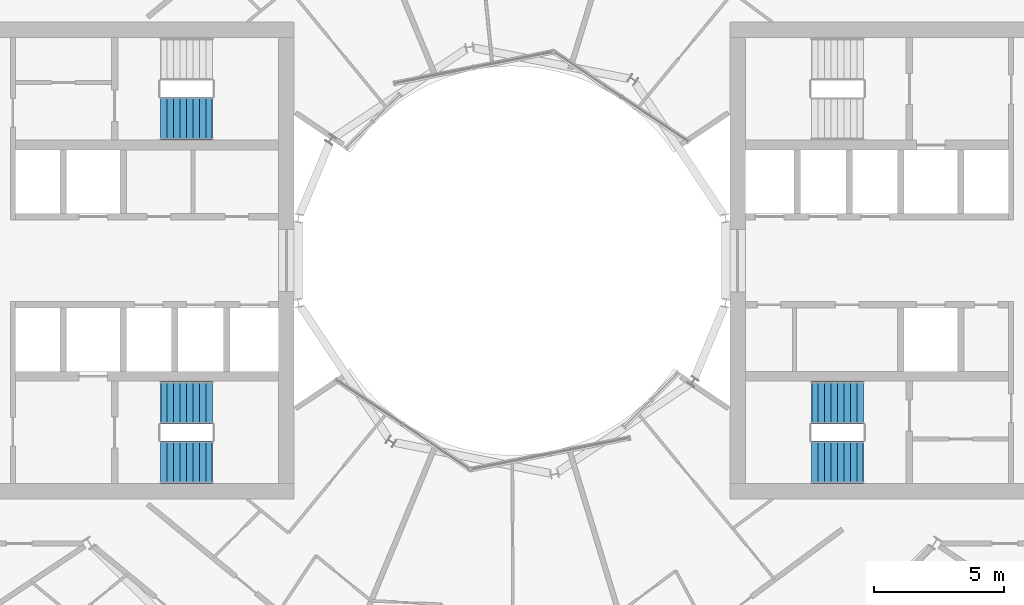
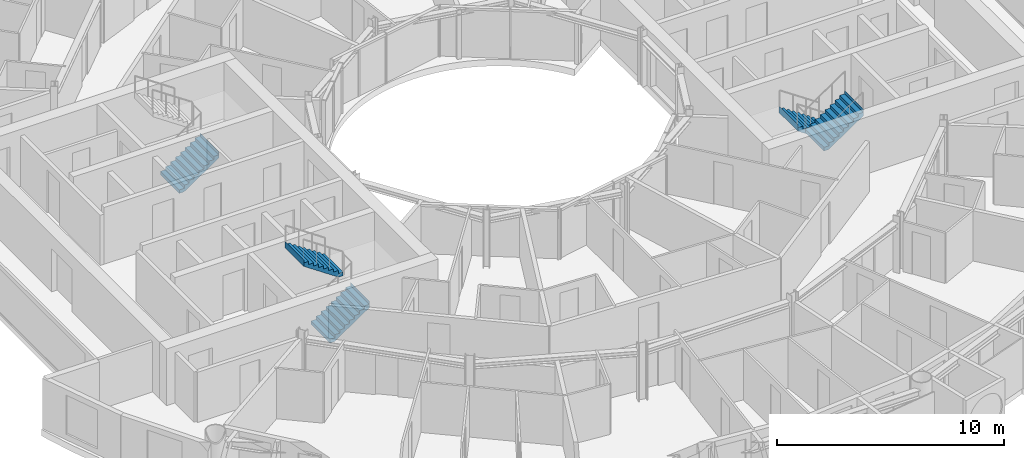
# One storey, part 24 of 27: 5 stair flights, 3 elements without a shape of their own.
"""IFC4 building model written with IfcOpenShell, lengths in metres."""

from ifc_helpers import new_model, si_unit, direction, frame, origin, place, context, subcontext, project, spatial, triangles, material, type_object, element, aggregate, save


model = new_model("IFC4")

# Units and contexts
model_context = context("Model", 3, precision=1e-05, world=origin(), true_north=direction((0.0, 1.0)))
body_context = subcontext(model_context, "Body", "Model", "MODEL_VIEW")
ifc_project = project(units=[si_unit("LENGTHUNIT", "METRE"), si_unit("AREAUNIT", "SQUARE_METRE"), si_unit("VOLUMEUNIT", "CUBIC_METRE"), si_unit("PLANEANGLEUNIT", "RADIAN"), si_unit("MASSUNIT", "GRAM", prefix="KILO")], contexts=[model_context])

# Site, building, storey
site_placement = place(None, origin())
site = spatial("IfcSite", under=ifc_project, at=site_placement, CompositionType="ELEMENT")
building_placement = place(site_placement, origin())
building = spatial("IfcBuilding", under=site, at=building_placement, Name="Maasbend Ring Residences", CompositionType="ELEMENT")
storey_placement = place(building_placement, frame((0.0, 0.0, 111.64990234375)))
storey = spatial("IfcBuildingStorey", under=building, at=storey_placement, Name="L31", CompositionType="ELEMENT", Elevation=111.64990234375)

# Stair, stair flights
ifc_material_1 = material(Name="Concrete C40/50", Category="concrete")
stair_type = type_object("IfcStairType", Name="CORE STAIR 18 RISERS", PredefinedType="HALF_TURN_STAIR", material=ifc_material_1)
stair_1_placement = place(storey_placement, origin())
stair_1 = element("IfcStair", 1, at=stair_1_placement, inside=storey, type_object=stair_type, Name="L31 Exit stair ST-E2", PredefinedType="HALF_TURN_STAIR")
ifc_material_2 = material(Name="Concrete C40/50", Category="concrete")
stair_flight_type = type_object("IfcStairFlightType", Name="CORE STAIR FLIGHT 1650", PredefinedType="STRAIGHT", material=ifc_material_2)
stair_flight_1_placement = place(storey_placement, frame((13.550048828125, -5.47509765625, 0.0), z_axis=(0.0, 0.0, 1.0), x_axis=(-1.0, 0.0, 0.0)))
stair_flight_1 = element("IfcStairFlight", 2, at=stair_flight_1_placement, type_object=stair_flight_type, Name="ST-E2 flight 1", NumberOfRisers=9, NumberOfTreads=8, PredefinedType="STRAIGHT", RiserHeight=0.169444444, TreadLength=0.25, context=body_context, shape_type="Tessellation", body=[
    triangles([(0.24072265625, 0.824951171875, -0.02001953125), (2.0029296875, 0.824951171875, 1.174560546875), (2.0029296875, 0.824951171875, 1.52490234375), (1.989990234375, 0.824951171875, 1.35546875), (1.75, 0.824951171875, 1.35546875), (1.75, 0.824951171875, 1.18603515625), (1.5, 0.824951171875, 1.18603515625), (1.5, 0.824951171875, 1.0166015625), (1.25, 0.824951171875, 1.0166015625), (1.25, 0.824951171875, 0.84716796875), (1.0, 0.824951171875, 0.84716796875), (1.0, 0.824951171875, 0.677734375), (0.75, 0.824951171875, 0.677734375), (0.75, 0.824951171875, 0.50830078125), (0.5, 0.824951171875, 0.50830078125), (0.5, 0.824951171875, 0.3388671875), (0.25, 0.824951171875, 0.3388671875), (0.25, 0.824951171875, 0.16943359375), (0.0, 0.824951171875, 0.16943359375), (0.0, 0.824951171875, 0.0), (-0.0029296875, 0.824951171875, 0.0), (-0.0029296875, 0.824951171875, -0.02001953125), (0.24072265625, 0.27490234375, -0.02001953125), (2.0029296875, 0.27490234375, 1.174560546875), (2.0029296875, 0.27490234375, 1.52490234375), (1.989990234375, 0.27490234375, 1.35546875), (1.75, 0.27490234375, 1.35546875), (1.75, 0.27490234375, 1.18603515625), (1.5, 0.27490234375, 1.18603515625), (1.5, 0.27490234375, 1.0166015625), (1.25, 0.27490234375, 1.0166015625), (1.25, 0.27490234375, 0.84716796875), (1.0, 0.27490234375, 0.84716796875), (1.0, 0.27490234375, 0.677734375), (0.75, 0.27490234375, 0.677734375), (0.75, 0.27490234375, 0.50830078125), (0.5, 0.27490234375, 0.50830078125), (0.5, 0.27490234375, 0.3388671875), (0.25, 0.27490234375, 0.3388671875), (0.25, 0.27490234375, 0.16943359375), (0.0, 0.27490234375, 0.16943359375), (0.0, 0.27490234375, 0.0), (-0.0029296875, 0.27490234375, 0.0), (-0.0029296875, 0.27490234375, -0.02001953125), (0.24072265625, -0.27490234375, -0.02001953125), (2.0029296875, -0.27490234375, 1.174560546875), (2.0029296875, -0.27490234375, 1.52490234375), (1.989990234375, -0.27490234375, 1.35546875), (1.75, -0.27490234375, 1.35546875), (1.75, -0.27490234375, 1.18603515625), (1.5, -0.27490234375, 1.18603515625), (1.5, -0.27490234375, 1.0166015625), (1.25, -0.27490234375, 1.0166015625), (1.25, -0.27490234375, 0.84716796875), (1.0, -0.27490234375, 0.84716796875), (1.0, -0.27490234375, 0.677734375), (0.75, -0.27490234375, 0.677734375), (0.75, -0.27490234375, 0.50830078125), (0.5, -0.27490234375, 0.50830078125), (0.5, -0.27490234375, 0.3388671875), (0.25, -0.27490234375, 0.3388671875), (0.25, -0.27490234375, 0.16943359375), (0.0, -0.27490234375, 0.16943359375), (0.0, -0.27490234375, 0.0), (-0.0029296875, -0.27490234375, 0.0), (-0.0029296875, -0.27490234375, -0.02001953125), (0.24072265625, -0.824951171875, -0.02001953125), (2.0029296875, -0.824951171875, 1.174560546875), (2.0029296875, -0.824951171875, 1.52490234375), (1.989990234375, -0.824951171875, 1.35546875), (1.75, -0.824951171875, 1.35546875), (1.75, -0.824951171875, 1.18603515625), (1.5, -0.824951171875, 1.18603515625), (1.5, -0.824951171875, 1.0166015625), (1.25, -0.824951171875, 1.0166015625), (1.25, -0.824951171875, 0.84716796875), (1.0, -0.824951171875, 0.84716796875), (1.0, -0.824951171875, 0.677734375), (0.75, -0.824951171875, 0.677734375), (0.75, -0.824951171875, 0.50830078125), (0.5, -0.824951171875, 0.50830078125), (0.5, -0.824951171875, 0.3388671875), (0.25, -0.824951171875, 0.3388671875), (0.25, -0.824951171875, 0.16943359375), (0.0, -0.824951171875, 0.16943359375), (0.0, -0.824951171875, 0.0), (-0.0029296875, -0.824951171875, 0.0), (-0.0029296875, -0.824951171875, -0.02001953125)], [[1, 2, 24], [1, 24, 23], [23, 24, 46], [23, 46, 45], [45, 46, 68], [45, 68, 67], [2, 3, 25], [2, 25, 24], [24, 25, 47], [24, 47, 46], [46, 47, 69], [46, 69, 68], [3, 4, 26], [3, 26, 25], [25, 26, 48], [25, 48, 47], [47, 48, 70], [47, 70, 69], [4, 5, 27], [4, 27, 26], [26, 27, 49], [26, 49, 48], [48, 49, 71], [48, 71, 70], [5, 6, 28], [5, 28, 27], [27, 28, 50], [27, 50, 49], [49, 50, 72], [49, 72, 71], [6, 7, 29], [6, 29, 28], [28, 29, 51], [28, 51, 50], [50, 51, 73], [50, 73, 72], [7, 8, 30], [7, 30, 29], [29, 30, 52], [29, 52, 51], [51, 52, 74], [51, 74, 73], [8, 9, 31], [8, 31, 30], [30, 31, 53], [30, 53, 52], [52, 53, 75], [52, 75, 74], [9, 10, 32], [9, 32, 31], [31, 32, 54], [31, 54, 53], [53, 54, 76], [53, 76, 75], [10, 11, 33], [10, 33, 32], [32, 33, 55], [32, 55, 54], [54, 55, 77], [54, 77, 76], [11, 12, 34], [11, 34, 33], [33, 34, 56], [33, 56, 55], [55, 56, 78], [55, 78, 77], [12, 13, 35], [12, 35, 34], [34, 35, 57], [34, 57, 56], [56, 57, 79], [56, 79, 78], [13, 14, 36], [13, 36, 35], [35, 36, 58], [35, 58, 57], [57, 58, 80], [57, 80, 79], [14, 15, 37], [14, 37, 36], [36, 37, 59], [36, 59, 58], [58, 59, 81], [58, 81, 80], [15, 16, 38], [15, 38, 37], [37, 38, 60], [37, 60, 59], [59, 60, 82], [59, 82, 81], [16, 17, 39], [16, 39, 38], [38, 39, 61], [38, 61, 60], [60, 61, 83], [60, 83, 82], [17, 18, 40], [17, 40, 39], [39, 40, 62], [39, 62, 61], [61, 62, 84], [61, 84, 83], [18, 19, 41], [18, 41, 40], [40, 41, 63], [40, 63, 62], [62, 63, 85], [62, 85, 84], [19, 20, 42], [19, 42, 41], [41, 42, 64], [41, 64, 63], [63, 64, 86], [63, 86, 85], [20, 21, 43], [20, 43, 42], [42, 43, 65], [42, 65, 64], [64, 65, 87], [64, 87, 86], [21, 22, 44], [21, 44, 43], [43, 44, 66], [43, 66, 65], [65, 66, 88], [65, 88, 87], [22, 1, 23], [22, 23, 44], [44, 23, 45], [44, 45, 66], [66, 45, 67], [66, 67, 88], [22, 2, 1], [2, 4, 3], [2, 5, 4], [2, 6, 5], [22, 6, 2], [6, 8, 7], [22, 8, 6], [8, 10, 9], [22, 10, 8], [10, 12, 11], [22, 12, 10], [12, 14, 13], [22, 14, 12], [14, 16, 15], [22, 16, 14], [16, 18, 17], [22, 18, 16], [18, 20, 19], [22, 20, 18], [20, 22, 21], [88, 67, 68], [68, 69, 70], [68, 70, 71], [68, 71, 72], [88, 68, 72], [72, 73, 74], [88, 72, 74], [74, 75, 76], [88, 74, 76], [76, 77, 78], [88, 76, 78], [78, 79, 80], [88, 78, 80], [80, 81, 82], [88, 80, 82], [82, 83, 84], [88, 82, 84], [84, 85, 86], [88, 84, 86], [86, 87, 88]], closed=True),
])
stair_flight_2_placement = place(storey_placement, frame((11.550048828125, -7.77490234375, 1.525146484375), z_axis=(0.0, 0.0, 1.0), x_axis=(1.0, 0.0, 0.0)))
stair_flight_2 = element("IfcStairFlight", 3, at=stair_flight_2_placement, type_object=stair_flight_type, Name="ST-E2 flight 2", NumberOfRisers=9, NumberOfTreads=8, PredefinedType="STRAIGHT", RiserHeight=0.169444444, TreadLength=0.25, context=body_context, shape_type="Tessellation", body=[
    triangles([(0.24072265625, 0.824951171875, -0.02001953125), (2.0029296875, 0.824951171875, 1.174560546875), (2.0029296875, 0.824951171875, 1.52490234375), (1.989990234375, 0.824951171875, 1.35546875), (1.75, 0.824951171875, 1.35546875), (1.75, 0.824951171875, 1.18603515625), (1.5, 0.824951171875, 1.18603515625), (1.5, 0.824951171875, 1.0166015625), (1.25, 0.824951171875, 1.0166015625), (1.25, 0.824951171875, 0.84716796875), (1.0, 0.824951171875, 0.84716796875), (1.0, 0.824951171875, 0.677734375), (0.75, 0.824951171875, 0.677734375), (0.75, 0.824951171875, 0.50830078125), (0.5, 0.824951171875, 0.50830078125), (0.5, 0.824951171875, 0.3388671875), (0.25, 0.824951171875, 0.3388671875), (0.25, 0.824951171875, 0.16943359375), (0.0, 0.824951171875, 0.16943359375), (0.0, 0.824951171875, 0.0), (-0.0029296875, 0.824951171875, 0.0), (-0.0029296875, 0.824951171875, -0.02001953125), (0.24072265625, 0.27490234375, -0.02001953125), (2.0029296875, 0.27490234375, 1.174560546875), (2.0029296875, 0.27490234375, 1.52490234375), (1.989990234375, 0.27490234375, 1.35546875), (1.75, 0.27490234375, 1.35546875), (1.75, 0.27490234375, 1.18603515625), (1.5, 0.27490234375, 1.18603515625), (1.5, 0.27490234375, 1.0166015625), (1.25, 0.27490234375, 1.0166015625), (1.25, 0.27490234375, 0.84716796875), (1.0, 0.27490234375, 0.84716796875), (1.0, 0.27490234375, 0.677734375), (0.75, 0.27490234375, 0.677734375), (0.75, 0.27490234375, 0.50830078125), (0.5, 0.27490234375, 0.50830078125), (0.5, 0.27490234375, 0.3388671875), (0.25, 0.27490234375, 0.3388671875), (0.25, 0.27490234375, 0.16943359375), (0.0, 0.27490234375, 0.16943359375), (0.0, 0.27490234375, 0.0), (-0.0029296875, 0.27490234375, 0.0), (-0.0029296875, 0.27490234375, -0.02001953125), (0.24072265625, -0.27490234375, -0.02001953125), (2.0029296875, -0.27490234375, 1.174560546875), (2.0029296875, -0.27490234375, 1.52490234375), (1.989990234375, -0.27490234375, 1.35546875), (1.75, -0.27490234375, 1.35546875), (1.75, -0.27490234375, 1.18603515625), (1.5, -0.27490234375, 1.18603515625), (1.5, -0.27490234375, 1.0166015625), (1.25, -0.27490234375, 1.0166015625), (1.25, -0.27490234375, 0.84716796875), (1.0, -0.27490234375, 0.84716796875), (1.0, -0.27490234375, 0.677734375), (0.75, -0.27490234375, 0.677734375), (0.75, -0.27490234375, 0.50830078125), (0.5, -0.27490234375, 0.50830078125), (0.5, -0.27490234375, 0.3388671875), (0.25, -0.27490234375, 0.3388671875), (0.25, -0.27490234375, 0.16943359375), (0.0, -0.27490234375, 0.16943359375), (0.0, -0.27490234375, 0.0), (-0.0029296875, -0.27490234375, 0.0), (-0.0029296875, -0.27490234375, -0.02001953125), (0.24072265625, -0.824951171875, -0.02001953125), (2.0029296875, -0.824951171875, 1.174560546875), (2.0029296875, -0.824951171875, 1.52490234375), (1.989990234375, -0.824951171875, 1.35546875), (1.75, -0.824951171875, 1.35546875), (1.75, -0.824951171875, 1.18603515625), (1.5, -0.824951171875, 1.18603515625), (1.5, -0.824951171875, 1.0166015625), (1.25, -0.824951171875, 1.0166015625), (1.25, -0.824951171875, 0.84716796875), (1.0, -0.824951171875, 0.84716796875), (1.0, -0.824951171875, 0.677734375), (0.75, -0.824951171875, 0.677734375), (0.75, -0.824951171875, 0.50830078125), (0.5, -0.824951171875, 0.50830078125), (0.5, -0.824951171875, 0.3388671875), (0.25, -0.824951171875, 0.3388671875), (0.25, -0.824951171875, 0.16943359375), (0.0, -0.824951171875, 0.16943359375), (0.0, -0.824951171875, 0.0), (-0.0029296875, -0.824951171875, 0.0), (-0.0029296875, -0.824951171875, -0.02001953125)], [[1, 2, 24], [1, 24, 23], [23, 24, 46], [23, 46, 45], [45, 46, 68], [45, 68, 67], [2, 3, 25], [2, 25, 24], [24, 25, 47], [24, 47, 46], [46, 47, 69], [46, 69, 68], [3, 4, 26], [3, 26, 25], [25, 26, 48], [25, 48, 47], [47, 48, 70], [47, 70, 69], [4, 5, 27], [4, 27, 26], [26, 27, 49], [26, 49, 48], [48, 49, 71], [48, 71, 70], [5, 6, 28], [5, 28, 27], [27, 28, 50], [27, 50, 49], [49, 50, 72], [49, 72, 71], [6, 7, 29], [6, 29, 28], [28, 29, 51], [28, 51, 50], [50, 51, 73], [50, 73, 72], [7, 8, 30], [7, 30, 29], [29, 30, 52], [29, 52, 51], [51, 52, 74], [51, 74, 73], [8, 9, 31], [8, 31, 30], [30, 31, 53], [30, 53, 52], [52, 53, 75], [52, 75, 74], [9, 10, 32], [9, 32, 31], [31, 32, 54], [31, 54, 53], [53, 54, 76], [53, 76, 75], [10, 11, 33], [10, 33, 32], [32, 33, 55], [32, 55, 54], [54, 55, 77], [54, 77, 76], [11, 12, 34], [11, 34, 33], [33, 34, 56], [33, 56, 55], [55, 56, 78], [55, 78, 77], [12, 13, 35], [12, 35, 34], [34, 35, 57], [34, 57, 56], [56, 57, 79], [56, 79, 78], [13, 14, 36], [13, 36, 35], [35, 36, 58], [35, 58, 57], [57, 58, 80], [57, 80, 79], [14, 15, 37], [14, 37, 36], [36, 37, 59], [36, 59, 58], [58, 59, 81], [58, 81, 80], [15, 16, 38], [15, 38, 37], [37, 38, 60], [37, 60, 59], [59, 60, 82], [59, 82, 81], [16, 17, 39], [16, 39, 38], [38, 39, 61], [38, 61, 60], [60, 61, 83], [60, 83, 82], [17, 18, 40], [17, 40, 39], [39, 40, 62], [39, 62, 61], [61, 62, 84], [61, 84, 83], [18, 19, 41], [18, 41, 40], [40, 41, 63], [40, 63, 62], [62, 63, 85], [62, 85, 84], [19, 20, 42], [19, 42, 41], [41, 42, 64], [41, 64, 63], [63, 64, 86], [63, 86, 85], [20, 21, 43], [20, 43, 42], [42, 43, 65], [42, 65, 64], [64, 65, 87], [64, 87, 86], [21, 22, 44], [21, 44, 43], [43, 44, 66], [43, 66, 65], [65, 66, 88], [65, 88, 87], [22, 1, 23], [22, 23, 44], [44, 23, 45], [44, 45, 66], [66, 45, 67], [66, 67, 88], [22, 2, 1], [2, 4, 3], [2, 5, 4], [2, 6, 5], [22, 6, 2], [6, 8, 7], [22, 8, 6], [8, 10, 9], [22, 10, 8], [10, 12, 11], [22, 12, 10], [12, 14, 13], [22, 14, 12], [14, 16, 15], [22, 16, 14], [16, 18, 17], [22, 18, 16], [18, 20, 19], [22, 20, 18], [20, 22, 21], [88, 67, 68], [68, 69, 70], [68, 70, 71], [68, 71, 72], [88, 68, 72], [72, 73, 74], [88, 72, 74], [74, 75, 76], [88, 74, 76], [76, 77, 78], [88, 76, 78], [78, 79, 80], [88, 78, 80], [80, 81, 82], [88, 80, 82], [82, 83, 84], [88, 82, 84], [84, 85, 86], [88, 84, 86], [86, 87, 88]], closed=True),
])
aggregate(stair_1, [stair_flight_1, stair_flight_2])

stair_2_placement = place(storey_placement, origin())
stair_2 = element("IfcStair", 4, at=stair_2_placement, inside=storey, type_object=stair_type, Name="L31 Exit stair ST-W1", PredefinedType="HALF_TURN_STAIR")
stair_flight_3_placement = place(storey_placement, frame((-13.550048828125, -7.77490234375, 0.0), z_axis=(0.0, 0.0, 1.0), x_axis=(1.0, 0.0, 0.0)))
stair_flight_3 = element("IfcStairFlight", 5, at=stair_flight_3_placement, type_object=stair_flight_type, Name="ST-W1 flight 1", NumberOfRisers=9, NumberOfTreads=8, PredefinedType="STRAIGHT", RiserHeight=0.169444444, TreadLength=0.25, context=body_context, shape_type="Tessellation", body=[
    triangles([(0.24072265625, 0.824951171875, -0.02001953125), (2.0029296875, 0.824951171875, 1.174560546875), (2.0029296875, 0.824951171875, 1.52490234375), (1.989990234375, 0.824951171875, 1.35546875), (1.75, 0.824951171875, 1.35546875), (1.75, 0.824951171875, 1.18603515625), (1.5, 0.824951171875, 1.18603515625), (1.5, 0.824951171875, 1.0166015625), (1.25, 0.824951171875, 1.0166015625), (1.25, 0.824951171875, 0.84716796875), (1.0, 0.824951171875, 0.84716796875), (1.0, 0.824951171875, 0.677734375), (0.75, 0.824951171875, 0.677734375), (0.75, 0.824951171875, 0.50830078125), (0.5, 0.824951171875, 0.50830078125), (0.5, 0.824951171875, 0.3388671875), (0.25, 0.824951171875, 0.3388671875), (0.25, 0.824951171875, 0.16943359375), (0.0, 0.824951171875, 0.16943359375), (0.0, 0.824951171875, 0.0), (-0.0029296875, 0.824951171875, 0.0), (-0.0029296875, 0.824951171875, -0.02001953125), (0.24072265625, 0.27490234375, -0.02001953125), (2.0029296875, 0.27490234375, 1.174560546875), (2.0029296875, 0.27490234375, 1.52490234375), (1.989990234375, 0.27490234375, 1.35546875), (1.75, 0.27490234375, 1.35546875), (1.75, 0.27490234375, 1.18603515625), (1.5, 0.27490234375, 1.18603515625), (1.5, 0.27490234375, 1.0166015625), (1.25, 0.27490234375, 1.0166015625), (1.25, 0.27490234375, 0.84716796875), (1.0, 0.27490234375, 0.84716796875), (1.0, 0.27490234375, 0.677734375), (0.75, 0.27490234375, 0.677734375), (0.75, 0.27490234375, 0.50830078125), (0.5, 0.27490234375, 0.50830078125), (0.5, 0.27490234375, 0.3388671875), (0.25, 0.27490234375, 0.3388671875), (0.25, 0.27490234375, 0.16943359375), (0.0, 0.27490234375, 0.16943359375), (0.0, 0.27490234375, 0.0), (-0.0029296875, 0.27490234375, 0.0), (-0.0029296875, 0.27490234375, -0.02001953125), (0.24072265625, -0.27490234375, -0.02001953125), (2.0029296875, -0.27490234375, 1.174560546875), (2.0029296875, -0.27490234375, 1.52490234375), (1.989990234375, -0.27490234375, 1.35546875), (1.75, -0.27490234375, 1.35546875), (1.75, -0.27490234375, 1.18603515625), (1.5, -0.27490234375, 1.18603515625), (1.5, -0.27490234375, 1.0166015625), (1.25, -0.27490234375, 1.0166015625), (1.25, -0.27490234375, 0.84716796875), (1.0, -0.27490234375, 0.84716796875), (1.0, -0.27490234375, 0.677734375), (0.75, -0.27490234375, 0.677734375), (0.75, -0.27490234375, 0.50830078125), (0.5, -0.27490234375, 0.50830078125), (0.5, -0.27490234375, 0.3388671875), (0.25, -0.27490234375, 0.3388671875), (0.25, -0.27490234375, 0.16943359375), (0.0, -0.27490234375, 0.16943359375), (0.0, -0.27490234375, 0.0), (-0.0029296875, -0.27490234375, 0.0), (-0.0029296875, -0.27490234375, -0.02001953125), (0.24072265625, -0.824951171875, -0.02001953125), (2.0029296875, -0.824951171875, 1.174560546875), (2.0029296875, -0.824951171875, 1.52490234375), (1.989990234375, -0.824951171875, 1.35546875), (1.75, -0.824951171875, 1.35546875), (1.75, -0.824951171875, 1.18603515625), (1.5, -0.824951171875, 1.18603515625), (1.5, -0.824951171875, 1.0166015625), (1.25, -0.824951171875, 1.0166015625), (1.25, -0.824951171875, 0.84716796875), (1.0, -0.824951171875, 0.84716796875), (1.0, -0.824951171875, 0.677734375), (0.75, -0.824951171875, 0.677734375), (0.75, -0.824951171875, 0.50830078125), (0.5, -0.824951171875, 0.50830078125), (0.5, -0.824951171875, 0.3388671875), (0.25, -0.824951171875, 0.3388671875), (0.25, -0.824951171875, 0.16943359375), (0.0, -0.824951171875, 0.16943359375), (0.0, -0.824951171875, 0.0), (-0.0029296875, -0.824951171875, 0.0), (-0.0029296875, -0.824951171875, -0.02001953125)], [[1, 2, 24], [1, 24, 23], [23, 24, 46], [23, 46, 45], [45, 46, 68], [45, 68, 67], [2, 3, 25], [2, 25, 24], [24, 25, 47], [24, 47, 46], [46, 47, 69], [46, 69, 68], [3, 4, 26], [3, 26, 25], [25, 26, 48], [25, 48, 47], [47, 48, 70], [47, 70, 69], [4, 5, 27], [4, 27, 26], [26, 27, 49], [26, 49, 48], [48, 49, 71], [48, 71, 70], [5, 6, 28], [5, 28, 27], [27, 28, 50], [27, 50, 49], [49, 50, 72], [49, 72, 71], [6, 7, 29], [6, 29, 28], [28, 29, 51], [28, 51, 50], [50, 51, 73], [50, 73, 72], [7, 8, 30], [7, 30, 29], [29, 30, 52], [29, 52, 51], [51, 52, 74], [51, 74, 73], [8, 9, 31], [8, 31, 30], [30, 31, 53], [30, 53, 52], [52, 53, 75], [52, 75, 74], [9, 10, 32], [9, 32, 31], [31, 32, 54], [31, 54, 53], [53, 54, 76], [53, 76, 75], [10, 11, 33], [10, 33, 32], [32, 33, 55], [32, 55, 54], [54, 55, 77], [54, 77, 76], [11, 12, 34], [11, 34, 33], [33, 34, 56], [33, 56, 55], [55, 56, 78], [55, 78, 77], [12, 13, 35], [12, 35, 34], [34, 35, 57], [34, 57, 56], [56, 57, 79], [56, 79, 78], [13, 14, 36], [13, 36, 35], [35, 36, 58], [35, 58, 57], [57, 58, 80], [57, 80, 79], [14, 15, 37], [14, 37, 36], [36, 37, 59], [36, 59, 58], [58, 59, 81], [58, 81, 80], [15, 16, 38], [15, 38, 37], [37, 38, 60], [37, 60, 59], [59, 60, 82], [59, 82, 81], [16, 17, 39], [16, 39, 38], [38, 39, 61], [38, 61, 60], [60, 61, 83], [60, 83, 82], [17, 18, 40], [17, 40, 39], [39, 40, 62], [39, 62, 61], [61, 62, 84], [61, 84, 83], [18, 19, 41], [18, 41, 40], [40, 41, 63], [40, 63, 62], [62, 63, 85], [62, 85, 84], [19, 20, 42], [19, 42, 41], [41, 42, 64], [41, 64, 63], [63, 64, 86], [63, 86, 85], [20, 21, 43], [20, 43, 42], [42, 43, 65], [42, 65, 64], [64, 65, 87], [64, 87, 86], [21, 22, 44], [21, 44, 43], [43, 44, 66], [43, 66, 65], [65, 66, 88], [65, 88, 87], [22, 1, 23], [22, 23, 44], [44, 23, 45], [44, 45, 66], [66, 45, 67], [66, 67, 88], [22, 2, 1], [2, 4, 3], [2, 5, 4], [2, 6, 5], [22, 6, 2], [6, 8, 7], [22, 8, 6], [8, 10, 9], [22, 10, 8], [10, 12, 11], [22, 12, 10], [12, 14, 13], [22, 14, 12], [14, 16, 15], [22, 16, 14], [16, 18, 17], [22, 18, 16], [18, 20, 19], [22, 20, 18], [20, 22, 21], [88, 67, 68], [68, 69, 70], [68, 70, 71], [68, 71, 72], [88, 68, 72], [72, 73, 74], [88, 72, 74], [74, 75, 76], [88, 74, 76], [76, 77, 78], [88, 76, 78], [78, 79, 80], [88, 78, 80], [80, 81, 82], [88, 80, 82], [82, 83, 84], [88, 82, 84], [84, 85, 86], [88, 84, 86], [86, 87, 88]], closed=True),
])
stair_flight_4_placement = place(storey_placement, frame((-11.550048828125, -5.47509765625, 1.525146484375), z_axis=(0.0, 0.0, 1.0), x_axis=(-1.0, 0.0, 0.0)))
stair_flight_4 = element("IfcStairFlight", 6, at=stair_flight_4_placement, type_object=stair_flight_type, Name="ST-W1 flight 2", NumberOfRisers=9, NumberOfTreads=8, PredefinedType="STRAIGHT", RiserHeight=0.169444444, TreadLength=0.25, context=body_context, shape_type="Tessellation", body=[
    triangles([(0.24072265625, 0.824951171875, -0.02001953125), (2.0029296875, 0.824951171875, 1.174560546875), (2.0029296875, 0.824951171875, 1.52490234375), (1.989990234375, 0.824951171875, 1.35546875), (1.75, 0.824951171875, 1.35546875), (1.75, 0.824951171875, 1.18603515625), (1.5, 0.824951171875, 1.18603515625), (1.5, 0.824951171875, 1.0166015625), (1.25, 0.824951171875, 1.0166015625), (1.25, 0.824951171875, 0.84716796875), (1.0, 0.824951171875, 0.84716796875), (1.0, 0.824951171875, 0.677734375), (0.75, 0.824951171875, 0.677734375), (0.75, 0.824951171875, 0.50830078125), (0.5, 0.824951171875, 0.50830078125), (0.5, 0.824951171875, 0.3388671875), (0.25, 0.824951171875, 0.3388671875), (0.25, 0.824951171875, 0.16943359375), (0.0, 0.824951171875, 0.16943359375), (0.0, 0.824951171875, 0.0), (-0.0029296875, 0.824951171875, 0.0), (-0.0029296875, 0.824951171875, -0.02001953125), (0.24072265625, 0.27490234375, -0.02001953125), (2.0029296875, 0.27490234375, 1.174560546875), (2.0029296875, 0.27490234375, 1.52490234375), (1.989990234375, 0.27490234375, 1.35546875), (1.75, 0.27490234375, 1.35546875), (1.75, 0.27490234375, 1.18603515625), (1.5, 0.27490234375, 1.18603515625), (1.5, 0.27490234375, 1.0166015625), (1.25, 0.27490234375, 1.0166015625), (1.25, 0.27490234375, 0.84716796875), (1.0, 0.27490234375, 0.84716796875), (1.0, 0.27490234375, 0.677734375), (0.75, 0.27490234375, 0.677734375), (0.75, 0.27490234375, 0.50830078125), (0.5, 0.27490234375, 0.50830078125), (0.5, 0.27490234375, 0.3388671875), (0.25, 0.27490234375, 0.3388671875), (0.25, 0.27490234375, 0.16943359375), (0.0, 0.27490234375, 0.16943359375), (0.0, 0.27490234375, 0.0), (-0.0029296875, 0.27490234375, 0.0), (-0.0029296875, 0.27490234375, -0.02001953125), (0.24072265625, -0.27490234375, -0.02001953125), (2.0029296875, -0.27490234375, 1.174560546875), (2.0029296875, -0.27490234375, 1.52490234375), (1.989990234375, -0.27490234375, 1.35546875), (1.75, -0.27490234375, 1.35546875), (1.75, -0.27490234375, 1.18603515625), (1.5, -0.27490234375, 1.18603515625), (1.5, -0.27490234375, 1.0166015625), (1.25, -0.27490234375, 1.0166015625), (1.25, -0.27490234375, 0.84716796875), (1.0, -0.27490234375, 0.84716796875), (1.0, -0.27490234375, 0.677734375), (0.75, -0.27490234375, 0.677734375), (0.75, -0.27490234375, 0.50830078125), (0.5, -0.27490234375, 0.50830078125), (0.5, -0.27490234375, 0.3388671875), (0.25, -0.27490234375, 0.3388671875), (0.25, -0.27490234375, 0.16943359375), (0.0, -0.27490234375, 0.16943359375), (0.0, -0.27490234375, 0.0), (-0.0029296875, -0.27490234375, 0.0), (-0.0029296875, -0.27490234375, -0.02001953125), (0.24072265625, -0.824951171875, -0.02001953125), (2.0029296875, -0.824951171875, 1.174560546875), (2.0029296875, -0.824951171875, 1.52490234375), (1.989990234375, -0.824951171875, 1.35546875), (1.75, -0.824951171875, 1.35546875), (1.75, -0.824951171875, 1.18603515625), (1.5, -0.824951171875, 1.18603515625), (1.5, -0.824951171875, 1.0166015625), (1.25, -0.824951171875, 1.0166015625), (1.25, -0.824951171875, 0.84716796875), (1.0, -0.824951171875, 0.84716796875), (1.0, -0.824951171875, 0.677734375), (0.75, -0.824951171875, 0.677734375), (0.75, -0.824951171875, 0.50830078125), (0.5, -0.824951171875, 0.50830078125), (0.5, -0.824951171875, 0.3388671875), (0.25, -0.824951171875, 0.3388671875), (0.25, -0.824951171875, 0.16943359375), (0.0, -0.824951171875, 0.16943359375), (0.0, -0.824951171875, 0.0), (-0.0029296875, -0.824951171875, 0.0), (-0.0029296875, -0.824951171875, -0.02001953125)], [[1, 2, 24], [1, 24, 23], [23, 24, 46], [23, 46, 45], [45, 46, 68], [45, 68, 67], [2, 3, 25], [2, 25, 24], [24, 25, 47], [24, 47, 46], [46, 47, 69], [46, 69, 68], [3, 4, 26], [3, 26, 25], [25, 26, 48], [25, 48, 47], [47, 48, 70], [47, 70, 69], [4, 5, 27], [4, 27, 26], [26, 27, 49], [26, 49, 48], [48, 49, 71], [48, 71, 70], [5, 6, 28], [5, 28, 27], [27, 28, 50], [27, 50, 49], [49, 50, 72], [49, 72, 71], [6, 7, 29], [6, 29, 28], [28, 29, 51], [28, 51, 50], [50, 51, 73], [50, 73, 72], [7, 8, 30], [7, 30, 29], [29, 30, 52], [29, 52, 51], [51, 52, 74], [51, 74, 73], [8, 9, 31], [8, 31, 30], [30, 31, 53], [30, 53, 52], [52, 53, 75], [52, 75, 74], [9, 10, 32], [9, 32, 31], [31, 32, 54], [31, 54, 53], [53, 54, 76], [53, 76, 75], [10, 11, 33], [10, 33, 32], [32, 33, 55], [32, 55, 54], [54, 55, 77], [54, 77, 76], [11, 12, 34], [11, 34, 33], [33, 34, 56], [33, 56, 55], [55, 56, 78], [55, 78, 77], [12, 13, 35], [12, 35, 34], [34, 35, 57], [34, 57, 56], [56, 57, 79], [56, 79, 78], [13, 14, 36], [13, 36, 35], [35, 36, 58], [35, 58, 57], [57, 58, 80], [57, 80, 79], [14, 15, 37], [14, 37, 36], [36, 37, 59], [36, 59, 58], [58, 59, 81], [58, 81, 80], [15, 16, 38], [15, 38, 37], [37, 38, 60], [37, 60, 59], [59, 60, 82], [59, 82, 81], [16, 17, 39], [16, 39, 38], [38, 39, 61], [38, 61, 60], [60, 61, 83], [60, 83, 82], [17, 18, 40], [17, 40, 39], [39, 40, 62], [39, 62, 61], [61, 62, 84], [61, 84, 83], [18, 19, 41], [18, 41, 40], [40, 41, 63], [40, 63, 62], [62, 63, 85], [62, 85, 84], [19, 20, 42], [19, 42, 41], [41, 42, 64], [41, 64, 63], [63, 64, 86], [63, 86, 85], [20, 21, 43], [20, 43, 42], [42, 43, 65], [42, 65, 64], [64, 65, 87], [64, 87, 86], [21, 22, 44], [21, 44, 43], [43, 44, 66], [43, 66, 65], [65, 66, 88], [65, 88, 87], [22, 1, 23], [22, 23, 44], [44, 23, 45], [44, 45, 66], [66, 45, 67], [66, 67, 88], [22, 2, 1], [2, 4, 3], [2, 5, 4], [2, 6, 5], [22, 6, 2], [6, 8, 7], [22, 8, 6], [8, 10, 9], [22, 10, 8], [10, 12, 11], [22, 12, 10], [12, 14, 13], [22, 14, 12], [14, 16, 15], [22, 16, 14], [16, 18, 17], [22, 18, 16], [18, 20, 19], [22, 20, 18], [20, 22, 21], [88, 67, 68], [68, 69, 70], [68, 70, 71], [68, 71, 72], [88, 68, 72], [72, 73, 74], [88, 72, 74], [74, 75, 76], [88, 74, 76], [76, 77, 78], [88, 76, 78], [78, 79, 80], [88, 78, 80], [80, 81, 82], [88, 80, 82], [82, 83, 84], [88, 82, 84], [84, 85, 86], [88, 84, 86], [86, 87, 88]], closed=True),
])
aggregate(stair_2, [stair_flight_3, stair_flight_4])

# Stair, stair flight
stair_3_placement = place(storey_placement, origin())
stair_3 = element("IfcStair", 7, at=stair_3_placement, inside=storey, type_object=stair_type, Name="L31 Exit stair ST-W2", PredefinedType="HALF_TURN_STAIR")
stair_flight_5_placement = place(storey_placement, frame((-13.550048828125, 5.47509765625, 0.0), z_axis=(0.0, 0.0, 1.0), x_axis=(1.0, 0.0, 0.0)))
stair_flight_5 = element("IfcStairFlight", 8, at=stair_flight_5_placement, type_object=stair_flight_type, Name="ST-W2 flight 1", NumberOfRisers=9, NumberOfTreads=8, PredefinedType="STRAIGHT", RiserHeight=0.169444444, TreadLength=0.25, context=body_context, shape_type="Tessellation", body=[
    triangles([(0.24072265625, 0.824951171875, -0.02001953125), (2.0029296875, 0.824951171875, 1.174560546875), (2.0029296875, 0.824951171875, 1.52490234375), (1.989990234375, 0.824951171875, 1.35546875), (1.75, 0.824951171875, 1.35546875), (1.75, 0.824951171875, 1.18603515625), (1.5, 0.824951171875, 1.18603515625), (1.5, 0.824951171875, 1.0166015625), (1.25, 0.824951171875, 1.0166015625), (1.25, 0.824951171875, 0.84716796875), (1.0, 0.824951171875, 0.84716796875), (1.0, 0.824951171875, 0.677734375), (0.75, 0.824951171875, 0.677734375), (0.75, 0.824951171875, 0.50830078125), (0.5, 0.824951171875, 0.50830078125), (0.5, 0.824951171875, 0.3388671875), (0.25, 0.824951171875, 0.3388671875), (0.25, 0.824951171875, 0.16943359375), (0.0, 0.824951171875, 0.16943359375), (0.0, 0.824951171875, 0.0), (-0.0029296875, 0.824951171875, 0.0), (-0.0029296875, 0.824951171875, -0.02001953125), (0.24072265625, 0.27490234375, -0.02001953125), (2.0029296875, 0.27490234375, 1.174560546875), (2.0029296875, 0.27490234375, 1.52490234375), (1.989990234375, 0.27490234375, 1.35546875), (1.75, 0.27490234375, 1.35546875), (1.75, 0.27490234375, 1.18603515625), (1.5, 0.27490234375, 1.18603515625), (1.5, 0.27490234375, 1.0166015625), (1.25, 0.27490234375, 1.0166015625), (1.25, 0.27490234375, 0.84716796875), (1.0, 0.27490234375, 0.84716796875), (1.0, 0.27490234375, 0.677734375), (0.75, 0.27490234375, 0.677734375), (0.75, 0.27490234375, 0.50830078125), (0.5, 0.27490234375, 0.50830078125), (0.5, 0.27490234375, 0.3388671875), (0.25, 0.27490234375, 0.3388671875), (0.25, 0.27490234375, 0.16943359375), (0.0, 0.27490234375, 0.16943359375), (0.0, 0.27490234375, 0.0), (-0.0029296875, 0.27490234375, 0.0), (-0.0029296875, 0.27490234375, -0.02001953125), (0.24072265625, -0.27490234375, -0.02001953125), (2.0029296875, -0.27490234375, 1.174560546875), (2.0029296875, -0.27490234375, 1.52490234375), (1.989990234375, -0.27490234375, 1.35546875), (1.75, -0.27490234375, 1.35546875), (1.75, -0.27490234375, 1.18603515625), (1.5, -0.27490234375, 1.18603515625), (1.5, -0.27490234375, 1.0166015625), (1.25, -0.27490234375, 1.0166015625), (1.25, -0.27490234375, 0.84716796875), (1.0, -0.27490234375, 0.84716796875), (1.0, -0.27490234375, 0.677734375), (0.75, -0.27490234375, 0.677734375), (0.75, -0.27490234375, 0.50830078125), (0.5, -0.27490234375, 0.50830078125), (0.5, -0.27490234375, 0.3388671875), (0.25, -0.27490234375, 0.3388671875), (0.25, -0.27490234375, 0.16943359375), (0.0, -0.27490234375, 0.16943359375), (0.0, -0.27490234375, 0.0), (-0.0029296875, -0.27490234375, 0.0), (-0.0029296875, -0.27490234375, -0.02001953125), (0.24072265625, -0.824951171875, -0.02001953125), (2.0029296875, -0.824951171875, 1.174560546875), (2.0029296875, -0.824951171875, 1.52490234375), (1.989990234375, -0.824951171875, 1.35546875), (1.75, -0.824951171875, 1.35546875), (1.75, -0.824951171875, 1.18603515625), (1.5, -0.824951171875, 1.18603515625), (1.5, -0.824951171875, 1.0166015625), (1.25, -0.824951171875, 1.0166015625), (1.25, -0.824951171875, 0.84716796875), (1.0, -0.824951171875, 0.84716796875), (1.0, -0.824951171875, 0.677734375), (0.75, -0.824951171875, 0.677734375), (0.75, -0.824951171875, 0.50830078125), (0.5, -0.824951171875, 0.50830078125), (0.5, -0.824951171875, 0.3388671875), (0.25, -0.824951171875, 0.3388671875), (0.25, -0.824951171875, 0.16943359375), (0.0, -0.824951171875, 0.16943359375), (0.0, -0.824951171875, 0.0), (-0.0029296875, -0.824951171875, 0.0), (-0.0029296875, -0.824951171875, -0.02001953125)], [[1, 2, 24], [1, 24, 23], [23, 24, 46], [23, 46, 45], [45, 46, 68], [45, 68, 67], [2, 3, 25], [2, 25, 24], [24, 25, 47], [24, 47, 46], [46, 47, 69], [46, 69, 68], [3, 4, 26], [3, 26, 25], [25, 26, 48], [25, 48, 47], [47, 48, 70], [47, 70, 69], [4, 5, 27], [4, 27, 26], [26, 27, 49], [26, 49, 48], [48, 49, 71], [48, 71, 70], [5, 6, 28], [5, 28, 27], [27, 28, 50], [27, 50, 49], [49, 50, 72], [49, 72, 71], [6, 7, 29], [6, 29, 28], [28, 29, 51], [28, 51, 50], [50, 51, 73], [50, 73, 72], [7, 8, 30], [7, 30, 29], [29, 30, 52], [29, 52, 51], [51, 52, 74], [51, 74, 73], [8, 9, 31], [8, 31, 30], [30, 31, 53], [30, 53, 52], [52, 53, 75], [52, 75, 74], [9, 10, 32], [9, 32, 31], [31, 32, 54], [31, 54, 53], [53, 54, 76], [53, 76, 75], [10, 11, 33], [10, 33, 32], [32, 33, 55], [32, 55, 54], [54, 55, 77], [54, 77, 76], [11, 12, 34], [11, 34, 33], [33, 34, 56], [33, 56, 55], [55, 56, 78], [55, 78, 77], [12, 13, 35], [12, 35, 34], [34, 35, 57], [34, 57, 56], [56, 57, 79], [56, 79, 78], [13, 14, 36], [13, 36, 35], [35, 36, 58], [35, 58, 57], [57, 58, 80], [57, 80, 79], [14, 15, 37], [14, 37, 36], [36, 37, 59], [36, 59, 58], [58, 59, 81], [58, 81, 80], [15, 16, 38], [15, 38, 37], [37, 38, 60], [37, 60, 59], [59, 60, 82], [59, 82, 81], [16, 17, 39], [16, 39, 38], [38, 39, 61], [38, 61, 60], [60, 61, 83], [60, 83, 82], [17, 18, 40], [17, 40, 39], [39, 40, 62], [39, 62, 61], [61, 62, 84], [61, 84, 83], [18, 19, 41], [18, 41, 40], [40, 41, 63], [40, 63, 62], [62, 63, 85], [62, 85, 84], [19, 20, 42], [19, 42, 41], [41, 42, 64], [41, 64, 63], [63, 64, 86], [63, 86, 85], [20, 21, 43], [20, 43, 42], [42, 43, 65], [42, 65, 64], [64, 65, 87], [64, 87, 86], [21, 22, 44], [21, 44, 43], [43, 44, 66], [43, 66, 65], [65, 66, 88], [65, 88, 87], [22, 1, 23], [22, 23, 44], [44, 23, 45], [44, 45, 66], [66, 45, 67], [66, 67, 88], [22, 2, 1], [2, 4, 3], [2, 5, 4], [2, 6, 5], [22, 6, 2], [6, 8, 7], [22, 8, 6], [8, 10, 9], [22, 10, 8], [10, 12, 11], [22, 12, 10], [12, 14, 13], [22, 14, 12], [14, 16, 15], [22, 16, 14], [16, 18, 17], [22, 18, 16], [18, 20, 19], [22, 20, 18], [20, 22, 21], [88, 67, 68], [68, 69, 70], [68, 70, 71], [68, 71, 72], [88, 68, 72], [72, 73, 74], [88, 72, 74], [74, 75, 76], [88, 74, 76], [76, 77, 78], [88, 76, 78], [78, 79, 80], [88, 78, 80], [80, 81, 82], [88, 80, 82], [82, 83, 84], [88, 82, 84], [84, 85, 86], [88, 84, 86], [86, 87, 88]], closed=True),
])
aggregate(stair_3, [stair_flight_5])

save(model, "model.ifc")
